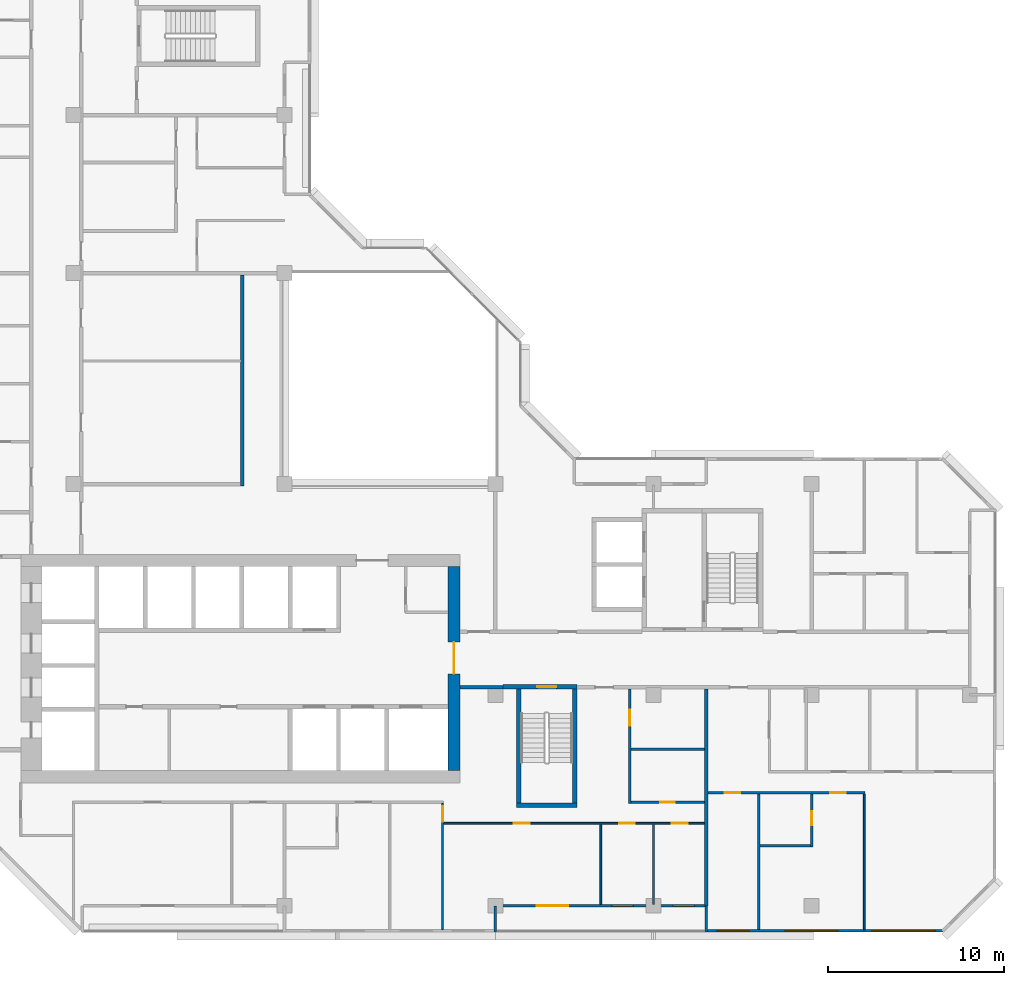
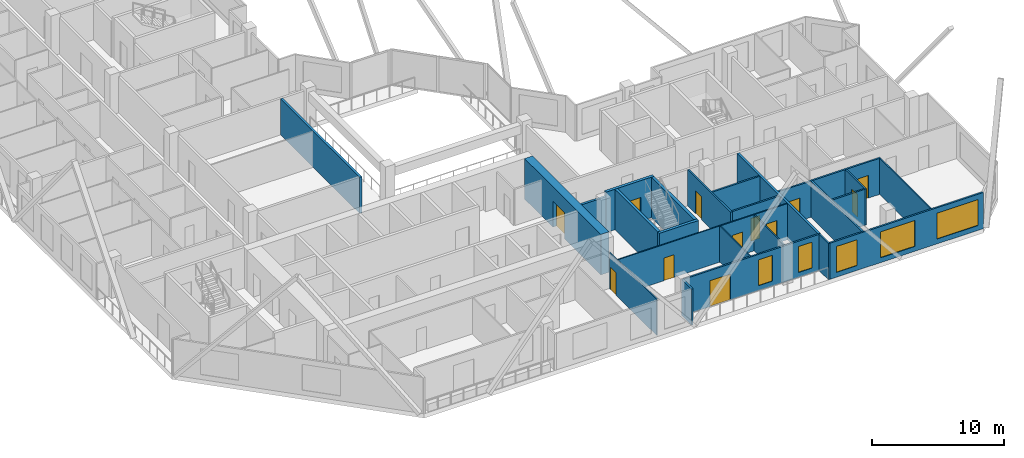
# One storey, part 6 of 15: 24 walls, 12 doors, 5 windows, 17 openings.
"""IFC4 building model written with IfcOpenShell, lengths in metres."""

from ifc_helpers import new_model, si_unit, direction, frame, frame_2d, origin, place, context, subcontext, project, spatial, rectangle, extrude, material, layer, layer_set, type_object, element, fill, save


model = new_model("IFC4")

# Units and contexts
model_context = context("Model", 3, precision=1e-05, world=origin(), true_north=direction((0.0, 1.0)))
body_context = subcontext(model_context, "Body", "Model", "MODEL_VIEW")
ifc_project = project(units=[si_unit("LENGTHUNIT", "METRE"), si_unit("AREAUNIT", "SQUARE_METRE"), si_unit("VOLUMEUNIT", "CUBIC_METRE"), si_unit("PLANEANGLEUNIT", "RADIAN"), si_unit("MASSUNIT", "GRAM", prefix="KILO")], contexts=[model_context])

# Site, building, storey
site_placement = place(None, origin())
site = spatial("IfcSite", under=ifc_project, at=site_placement, CompositionType="ELEMENT")
building_placement = place(site_placement, origin())
building = spatial("IfcBuilding", under=site, at=building_placement, Name="Chenar Terraces", CompositionType="ELEMENT")
storey_placement = place(building_placement, frame((0.0, 0.0, 245.39990234375)))
storey = spatial("IfcBuildingStorey", under=building, at=storey_placement, Name="L58", CompositionType="ELEMENT", Elevation=245.39990234375)

# Wall
ifc_material_1 = material(Name="Concrete C60/75", Category="concrete")
ifc_layer_1 = layer(ifc_material_1, 0.25)
ifc_layer_set_1 = layer_set([ifc_layer_1], Name="Concrete C60/75")
wall_type_1 = type_object("IfcWallType", Name="Core wall 250 Concrete C60/75", PredefinedType="SHEAR", material=ifc_layer_set_1)
wall_1_placement = place(storey_placement, frame((37.199951171875, 5.72509765625, 0.0), z_axis=(0.0, 0.0, 1.0), x_axis=(1.0, 0.0, 0.0)))
element("IfcWall", 1, at=wall_1_placement, inside=storey, type_object=wall_type_1, Name="Core wall ST2_S L58", PredefinedType="SHEAR", context=body_context, shape_type="SweptSolid", body=[
    extrude(rectangle(XDim=3.449951171875, YDim=0.25, at=frame_2d((1.72509765625, 0.0))), origin(), (0.0, 0.0, 1.0), 3.75),
])

# Wall, opening, door
wall_2_placement = place(storey_placement, frame((36.425048828125, 12.47509765625, 0.0), z_axis=(0.0, 0.0, 1.0), x_axis=(1.0, 0.0, 0.0)))
wall_2 = element("IfcWall", 2, at=wall_2_placement, inside=storey, type_object=wall_type_1, Name="Core wall ST2_N L58", PredefinedType="SHEAR", context=body_context, shape_type="SweptSolid", body=[
    extrude(rectangle(XDim=4.224853515625, YDim=0.25, at=frame_2d((2.1123046875, 0.0))), origin(), (0.0, 0.0, 1.0), 3.75),
])
opening_1_placement = place(wall_2_placement, frame((1.949951171875, 0.0, 0.0)))
opening_1 = element("IfcOpeningElement", 3, at=opening_1_placement, cuts=wall_2, Name="Opening DL58-C7", PredefinedType="OPENING", context=body_context, shape_type="SweptSolid", body=[
    extrude(rectangle(XDim=1.10009765625, YDim=2.199951171875, at=frame_2d((0.550048828125, 1.10009765625))), frame((0.0, 0.135009765625, 0.0), z_axis=(0.0, -1.0, 0.0), x_axis=(1.0, 0.0, 0.0)), (0.0, 0.0, 1.0), 0.27001953125),
])
ifc_material_2 = material(Name="Steel-framed fire-resisting door leaf", Category="steel")
door_type_1 = type_object("IfcDoorType", Name="Stair fire door FD60 1100 x 2200", OperationType="SINGLE_SWING_LEFT", PredefinedType="DOOR", material=ifc_material_2)
door_1_placement = place(opening_1_placement, frame((1.10009765625, 0.0, 0.0), z_axis=(0.0, 0.0, 1.0), x_axis=(-1.0, 0.0, 0.0)))
door_1 = element("IfcDoor", 4, at=door_1_placement, inside=storey, type_object=door_type_1, Name="Stair door DL58-C7", OperationType="SINGLE_SWING_LEFT", OverallHeight=2.199951171875, OverallWidth=1.10009765625, PredefinedType="DOOR", context=body_context, shape_type="SweptSolid", body=[
    extrude(rectangle(XDim=1.10009765625, YDim=2.199951171875, at=frame_2d((0.550048828125, 1.10009765625))), frame((0.0, 0.02490234375, 0.0), z_axis=(0.0, -1.0, 0.0), x_axis=(1.0, 0.0, 0.0)), (0.0, 0.0, 1.0), 0.050048828125),
])
fill(opening_1, door_1)

# Walls
for number, where, z_axis, x_axis, name in (
    (5, (37.324951171875, 5.85009765625, 0.0), (0.0, 0.0, 1.0), (0.0, 1.0, 0.0), "Core wall ST2_W L58"),
    (6, (40.52490234375, 5.85009765625, 0.0), (0.0, 0.0, 1.0), (0.0, 1.0, 0.0), "Core wall ST2_E L58"),
):
    element("IfcWall", number, at=place(storey_placement, frame(where, z_axis=z_axis, x_axis=x_axis)), inside=storey, type_object=wall_type_1, Name=name, PredefinedType="SHEAR", context=body_context, shape_type="SweptSolid", body=[
        extrude(rectangle(XDim=6.5, YDim=0.25, at=frame_2d((3.25, 0.0))), origin(), (0.0, 0.0, 1.0), 3.75),
    ])

# Wall, opening, door
ifc_material_3 = material(Name="Concrete C60/75", Category="concrete")
ifc_layer_2 = layer(ifc_material_3, 0.699951171875)
ifc_layer_set_2 = layer_set([ifc_layer_2], Name="Concrete C60/75")
wall_type_2 = type_object("IfcWallType", Name="Core wall 700 Concrete C60/75", PredefinedType="SHEAR", material=ifc_layer_set_2)
wall_3_placement = place(storey_placement, frame((33.64990234375, 7.699951171875, 0.0), z_axis=(0.0, 0.0, 1.0), x_axis=(0.0, 1.0, 0.0)))
wall_3 = element("IfcWall", 7, at=wall_3_placement, inside=storey, type_object=wall_type_2, Name="Core wall E L58", PredefinedType="SHEAR", context=body_context, shape_type="SweptSolid", body=[
    extrude(rectangle(XDim=11.60009765625, YDim=0.699951171875, at=frame_2d((5.800048828125, 0.0))), origin(), (0.0, 0.0, 1.0), 3.75),
])
opening_2_placement = place(wall_3_placement, frame((5.5, 0.0, 0.0)))
opening_2 = element("IfcOpeningElement", 8, at=opening_2_placement, cuts=wall_3, Name="Opening DL58-C1", PredefinedType="OPENING", context=body_context, shape_type="SweptSolid", body=[
    extrude(rectangle(XDim=1.800048828125, YDim=2.39990234375, at=frame_2d((0.89990234375, 1.199951171875))), frame((0.0, 0.35986328125, 0.0), z_axis=(0.0, -1.0, 0.0), x_axis=(1.0, 0.0, 0.0)), (0.0, 0.0, 1.0), 0.719970703125),
])
ifc_material_4 = material(Name="Steel-framed fire-resisting door leaf", Category="steel")
door_type_2 = type_object("IfcDoorType", Name="Core entrance double fire door FD60 1800 x 2400", OperationType="DOUBLE_DOOR_SINGLE_SWING", PredefinedType="DOOR", material=ifc_material_4)
door_2_placement = place(opening_2_placement, origin())
door_2 = element("IfcDoor", 9, at=door_2_placement, inside=storey, type_object=door_type_2, Name="Core door DL58-C1", OperationType="DOUBLE_DOOR_SINGLE_SWING", OverallHeight=2.39990234375, OverallWidth=1.800048828125, PredefinedType="DOOR", context=body_context, shape_type="SweptSolid", body=[
    extrude(rectangle(XDim=1.800048828125, YDim=2.39990234375, at=frame_2d((0.89990234375, 1.199951171875))), frame((0.0, 0.02490234375, 0.0), z_axis=(0.0, -1.0, 0.0), x_axis=(1.0, 0.0, 0.0)), (0.0, 0.0, 1.0), 0.050048828125),
])
fill(opening_2, door_2)

# Walls
ifc_material_5 = material(Name="Gypsum board on steel studs with fire boards", Category="steel")
ifc_layer_3 = layer(ifc_material_5, 0.199951171875)
ifc_layer_set_3 = layer_set([ifc_layer_3], Name="Gypsum board on steel studs with fire boards")
wall_type_3 = type_object("IfcWallType", Name="Corridor wall 200", PredefinedType="PARTITIONING", material=ifc_layer_set_3)
wall_4_placement = place(storey_placement, frame((21.60009765625, 23.89990234375, 0.0), z_axis=(0.0, 0.0, 1.0), x_axis=(0.0, 1.0, 0.0)))
element("IfcWall", 10, at=wall_4_placement, inside=storey, type_object=wall_type_3, Name="Partition L58-057", PredefinedType="PARTITIONING", context=body_context, shape_type="SweptSolid", body=[
    extrude(rectangle(XDim=12.0, YDim=0.199951171875, at=frame_2d((6.0, 0.0))), origin(), (0.0, 0.0, 1.0), 3.35009765625),
])
wall_5_placement = place(storey_placement, frame((34.0, 12.425048828125, 0.0), z_axis=(0.0, 0.0, 1.0), x_axis=(1.0, 0.0, 0.0)))
element("IfcWall", 11, at=wall_5_placement, inside=storey, type_object=wall_type_3, Name="Partition L58-064", PredefinedType="PARTITIONING", context=body_context, shape_type="SweptSolid", body=[
    extrude(rectangle(XDim=2.426025390625, YDim=0.199951171875, at=frame_2d((1.212890625, 0.0))), origin(), (0.0, 0.0, 1.0), 3.35009765625),
])

# Wall, openings, windows
ifc_material_6 = material(Name="Aluminium framed glazing", Category="aluminium")
ifc_layer_4 = layer(ifc_material_6, 0.14990234375)
ifc_layer_set_4 = layer_set([ifc_layer_4], Name="Aluminium framed glazing")
wall_type_4 = type_object("IfcWallType", Name="Glazed flush facade wall 150", PredefinedType="SOLIDWALL", material=ifc_layer_set_4)
wall_6_placement = place(storey_placement, frame((48.074951171875, -1.425048828125, 0.0), z_axis=(0.0, 0.0, 1.0), x_axis=(1.0, 0.0, 0.0)))
wall_6 = element("IfcWall", 12, at=wall_6_placement, inside=storey, type_object=wall_type_4, Name="Glazed flush facade wall", PredefinedType="SOLIDWALL", context=body_context, shape_type="SweptSolid", body=[
    extrude(rectangle(XDim=13.425048828125, YDim=0.14990234375, at=frame_2d((6.71240234375, 0.0))), origin(), (0.0, 0.0, 1.0), 3.35009765625),
])
opening_3_placement = place(wall_6_placement, frame((0.5625, 0.0, 0.449951171875)))
opening_3 = element("IfcOpeningElement", 13, at=opening_3_placement, cuts=wall_6, Name="Opening W180x240", PredefinedType="OPENING", context=body_context, shape_type="SweptSolid", body=[
    extrude(rectangle(XDim=1.800048828125, YDim=2.39990234375, at=frame_2d((0.89990234375, 1.199951171875))), frame((0.0, 0.0849609375, 0.0), z_axis=(0.0, -1.0, 0.0), x_axis=(1.0, 0.0, 0.0)), (0.0, 0.0, 1.0), 0.169921875),
])
opening_4_placement = place(wall_6_placement, frame((4.425048828125, 0.0, 0.449951171875)))
opening_4 = element("IfcOpeningElement", 14, at=opening_4_placement, cuts=wall_6, Name="Opening W300x240", PredefinedType="OPENING", context=body_context, shape_type="SweptSolid", body=[
    extrude(rectangle(XDim=3.0, YDim=2.39990234375, at=frame_2d((1.5, 1.199951171875))), frame((0.0, 0.0849609375, 0.0), z_axis=(0.0, -1.0, 0.0), x_axis=(1.0, 0.0, 0.0)), (0.0, 0.0, 1.0), 0.169921875),
])
opening_5_placement = place(wall_6_placement, frame((9.375, 0.0, 0.449951171875)))
opening_5 = element("IfcOpeningElement", 15, at=opening_5_placement, cuts=wall_6, Name="Opening W360x240", PredefinedType="OPENING", context=body_context, shape_type="SweptSolid", body=[
    extrude(rectangle(XDim=3.60009765625, YDim=2.39990234375, at=frame_2d((1.800048828125, 1.199951171875))), frame((0.0, 0.0849609375, 0.0), z_axis=(0.0, -1.0, 0.0), x_axis=(1.0, 0.0, 0.0)), (0.0, 0.0, 1.0), 0.169921875),
])
ifc_material_7 = material(Name="Low emissivity double glazing, aluminium frame", Category="aluminium")
window_type_1 = type_object("IfcWindowType", Name="Fixed light 1800 x 2400", PartitioningType="SINGLE_PANEL", PredefinedType="WINDOW", material=ifc_material_7)
window_1_placement = place(opening_3_placement, origin())
window_1 = element("IfcWindow", 16, at=window_1_placement, inside=storey, type_object=window_type_1, Name="Window", OverallHeight=2.39990234375, OverallWidth=1.800048828125, PartitioningType="SINGLE_PANEL", PredefinedType="WINDOW", context=body_context, shape_type="SweptSolid", body=[
    extrude(rectangle(XDim=1.800048828125, YDim=2.39990234375, at=frame_2d((0.89990234375, 1.199951171875))), frame((0.0, 0.030029296875, 0.0), z_axis=(0.0, -1.0, 0.0), x_axis=(1.0, 0.0, 0.0)), (0.0, 0.0, 1.0), 0.06005859375),
])
fill(opening_3, window_1)
ifc_material_8 = material(Name="Low emissivity double glazing, aluminium frame", Category="aluminium")
window_type_2 = type_object("IfcWindowType", Name="Fixed light 3000 x 2400", PartitioningType="SINGLE_PANEL", PredefinedType="WINDOW", material=ifc_material_8)
window_2_placement = place(opening_4_placement, origin())
window_2 = element("IfcWindow", 17, at=window_2_placement, inside=storey, type_object=window_type_2, Name="Window", OverallHeight=2.39990234375, OverallWidth=3.0, PartitioningType="SINGLE_PANEL", PredefinedType="WINDOW", context=body_context, shape_type="SweptSolid", body=[
    extrude(rectangle(XDim=3.0, YDim=2.39990234375, at=frame_2d((1.5, 1.199951171875))), frame((0.0, 0.030029296875, 0.0), z_axis=(0.0, -1.0, 0.0), x_axis=(1.0, 0.0, 0.0)), (0.0, 0.0, 1.0), 0.06005859375),
])
fill(opening_4, window_2)
ifc_material_9 = material(Name="Low emissivity double glazing, aluminium frame", Category="aluminium")
window_type_3 = type_object("IfcWindowType", Name="Fixed light 3600 x 2400", PartitioningType="SINGLE_PANEL", PredefinedType="WINDOW", material=ifc_material_9)
window_3_placement = place(opening_5_placement, origin())
window_3 = element("IfcWindow", 18, at=window_3_placement, inside=storey, type_object=window_type_3, Name="Window", OverallHeight=2.39990234375, OverallWidth=3.60009765625, PartitioningType="SINGLE_PANEL", PredefinedType="WINDOW", context=body_context, shape_type="SweptSolid", body=[
    extrude(rectangle(XDim=3.60009765625, YDim=2.39990234375, at=frame_2d((1.800048828125, 1.199951171875))), frame((0.0, 0.030029296875, 0.0), z_axis=(0.0, -1.0, 0.0), x_axis=(1.0, 0.0, 0.0)), (0.0, 0.0, 1.0), 0.06005859375),
])
fill(opening_5, window_3)

# Wall, openings, windows, door
ifc_material_10 = material(Name="Aluminium framed glazing", Category="aluminium")
ifc_layer_5 = layer(ifc_material_10, 0.14990234375)
ifc_layer_set_5 = layer_set([ifc_layer_5], Name="Aluminium framed glazing")
wall_type_5 = type_object("IfcWallType", Name="Glazed loggia back wall 150", PredefinedType="SOLIDWALL", material=ifc_layer_set_5)
wall_7_placement = place(storey_placement, frame((36.074951171875, 0.0, 0.0), z_axis=(0.0, 0.0, 1.0), x_axis=(1.0, 0.0, 0.0)))
wall_7 = element("IfcWall", 19, at=wall_7_placement, inside=storey, type_object=wall_type_5, Name="Glazed loggia back wall", PredefinedType="SOLIDWALL", context=body_context, shape_type="SweptSolid", body=[
    extrude(rectangle(XDim=11.85009765625, YDim=0.14990234375, at=frame_2d((5.925048828125, 0.0))), origin(), (0.0, 0.0, 1.0), 3.35009765625),
])
opening_6_placement = place(wall_7_placement, frame((2.28759765625, 0.0, 0.0)))
opening_6 = element("IfcOpeningElement", 20, at=opening_6_placement, cuts=wall_7, Name="Opening DL58-G6", PredefinedType="OPENING", context=body_context, shape_type="SweptSolid", body=[
    extrude(rectangle(XDim=1.800048828125, YDim=2.39990234375, at=frame_2d((0.89990234375, 1.199951171875))), frame((0.0, 0.0849609375, 0.0), z_axis=(0.0, -1.0, 0.0), x_axis=(1.0, 0.0, 0.0)), (0.0, 0.0, 1.0), 0.169921875),
])
opening_7_placement = place(wall_7_placement, frame((6.5625, 0.0, 0.449951171875)))
opening_7 = element("IfcOpeningElement", 21, at=opening_7_placement, cuts=wall_7, Name="Opening W120x240", PredefinedType="OPENING", context=body_context, shape_type="SweptSolid", body=[
    extrude(rectangle(XDim=1.199951171875, YDim=2.39990234375, at=frame_2d((0.60009765625, 1.199951171875))), frame((0.0, 0.0849609375, 0.0), z_axis=(0.0, -1.0, 0.0), x_axis=(1.0, 0.0, 0.0)), (0.0, 0.0, 1.0), 0.169921875),
])
opening_8_placement = place(wall_7_placement, frame((10.050048828125, 0.0, 0.449951171875)))
opening_8 = element("IfcOpeningElement", 22, at=opening_8_placement, cuts=wall_7, Name="Opening W120x240", PredefinedType="OPENING", context=body_context, shape_type="SweptSolid", body=[
    extrude(rectangle(XDim=1.199951171875, YDim=2.39990234375, at=frame_2d((0.60009765625, 1.199951171875))), frame((0.0, 0.0849609375, 0.0), z_axis=(0.0, -1.0, 0.0), x_axis=(1.0, 0.0, 0.0)), (0.0, 0.0, 1.0), 0.169921875),
])
ifc_material_11 = material(Name="Low emissivity double glazing, aluminium frame", Category="aluminium")
window_type_4 = type_object("IfcWindowType", Name="Fixed light 1200 x 2400", PartitioningType="SINGLE_PANEL", PredefinedType="WINDOW", material=ifc_material_11)
window_4_placement = place(opening_7_placement, origin())
window_4 = element("IfcWindow", 23, at=window_4_placement, inside=storey, type_object=window_type_4, Name="Window", OverallHeight=2.39990234375, OverallWidth=1.199951171875, PartitioningType="SINGLE_PANEL", PredefinedType="WINDOW", context=body_context, shape_type="SweptSolid", body=[
    extrude(rectangle(XDim=1.199951171875, YDim=2.39990234375, at=frame_2d((0.60009765625, 1.199951171875))), frame((0.0, 0.030029296875, 0.0), z_axis=(0.0, -1.0, 0.0), x_axis=(1.0, 0.0, 0.0)), (0.0, 0.0, 1.0), 0.06005859375),
])
fill(opening_7, window_4)
window_5_placement = place(opening_8_placement, origin())
window_5 = element("IfcWindow", 24, at=window_5_placement, inside=storey, type_object=window_type_4, Name="Window", OverallHeight=2.39990234375, OverallWidth=1.199951171875, PartitioningType="SINGLE_PANEL", PredefinedType="WINDOW", context=body_context, shape_type="SweptSolid", body=[
    extrude(rectangle(XDim=1.199951171875, YDim=2.39990234375, at=frame_2d((0.60009765625, 1.199951171875))), frame((0.0, 0.030029296875, 0.0), z_axis=(0.0, -1.0, 0.0), x_axis=(1.0, 0.0, 0.0)), (0.0, 0.0, 1.0), 0.06005859375),
])
fill(opening_8, window_5)
ifc_material_12 = material(Name="Low emissivity double glazing, aluminium frame", Category="aluminium")
door_type_3 = type_object("IfcDoorType", Name="Loggia glazed double door 1800 x 2400", OperationType="DOUBLE_DOOR_SINGLE_SWING", PredefinedType="DOOR", material=ifc_material_12)
door_3_placement = place(opening_6_placement, frame((1.800048828125, 0.0, 0.0), z_axis=(0.0, 0.0, 1.0), x_axis=(-1.0, 0.0, 0.0)))
door_3 = element("IfcDoor", 25, at=door_3_placement, inside=storey, type_object=door_type_3, Name="Loggia glazed door", OperationType="DOUBLE_DOOR_SINGLE_SWING", OverallHeight=2.39990234375, OverallWidth=1.800048828125, PredefinedType="DOOR", context=body_context, shape_type="SweptSolid", body=[
    extrude(rectangle(XDim=1.800048828125, YDim=2.39990234375, at=frame_2d((0.89990234375, 1.199951171875))), frame((0.0, 0.02490234375, 0.0), z_axis=(0.0, -1.0, 0.0), x_axis=(1.0, 0.0, 0.0)), (0.0, 0.0, 1.0), 0.050048828125),
])
fill(opening_6, door_3)

# Wall, opening, door
ifc_material_13 = material(Name="Gypsum board on steel studs", Category="steel")
ifc_layer_6 = layer(ifc_material_13, 0.10009765625)
ifc_layer_set_6 = layer_set([ifc_layer_6], Name="Gypsum board on steel studs")
wall_type_6 = type_object("IfcWallType", Name="Gypsum partition 100", PredefinedType="PARTITIONING", material=ifc_layer_set_6)
wall_8_placement = place(storey_placement, frame((33.0, -1.35009765625, 0.0), z_axis=(0.0, 0.0, 1.0), x_axis=(0.0, 1.0, 0.0)))
wall_8 = element("IfcWall", 26, at=wall_8_placement, inside=storey, type_object=wall_type_6, Name="Partition L58-062", PredefinedType="PARTITIONING", context=body_context, shape_type="SweptSolid", body=[
    extrude(rectangle(XDim=7.175048828125, YDim=0.10009765625, at=frame_2d((3.58740234375, 0.0))), origin(), (0.0, 0.0, 1.0), 3.35009765625),
])
opening_9_placement = place(wall_8_placement, frame((6.125, 0.0, 0.0)))
opening_9 = element("IfcOpeningElement", 27, at=opening_9_placement, cuts=wall_8, Name="Opening DL58-49", PredefinedType="OPENING", context=body_context, shape_type="SweptSolid", body=[
    extrude(rectangle(XDim=0.89990234375, YDim=2.10009765625, at=frame_2d((0.449951171875, 1.050048828125))), frame((0.0, 0.06005859375, 0.0), z_axis=(0.0, -1.0, 0.0), x_axis=(1.0, 0.0, 0.0)), (0.0, 0.0, 1.0), 0.1201171875),
])
ifc_material_14 = material(Name="Veneered timber door leaf", Category="wood")
door_type_4 = type_object("IfcDoorType", Name="Door 900 x 2100", OperationType="SINGLE_SWING_LEFT", PredefinedType="DOOR", material=ifc_material_14)
door_4_placement = place(opening_9_placement, origin())
door_4 = element("IfcDoor", 28, at=door_4_placement, inside=storey, type_object=door_type_4, Name="Door DL58-49", OperationType="SINGLE_SWING_RIGHT", OverallHeight=2.10009765625, OverallWidth=0.89990234375, PredefinedType="DOOR", context=body_context, shape_type="SweptSolid", body=[
    extrude(rectangle(XDim=0.89990234375, YDim=2.10009765625, at=frame_2d((0.449951171875, 1.050048828125))), frame((0.0, 0.02490234375, 0.0), z_axis=(0.0, -1.0, 0.0), x_axis=(1.0, 0.0, 0.0)), (0.0, 0.0, 1.0), 0.050048828125),
])
fill(opening_9, door_4)

# Wall, openings, doors
wall_9_placement = place(storey_placement, frame((33.050048828125, 4.699951171875, 0.0), z_axis=(0.0, 0.0, 1.0), x_axis=(1.0, 0.0, 0.0)))
wall_9 = element("IfcWall", 29, at=wall_9_placement, inside=storey, type_object=wall_type_6, Name="Partition L58-063", PredefinedType="PARTITIONING", context=body_context, shape_type="SweptSolid", body=[
    extrude(rectangle(XDim=14.849853515625, YDim=0.10009765625, at=frame_2d((7.4248046875, 0.0))), origin(), (0.0, 0.0, 1.0), 3.35009765625),
])
opening_10_placement = place(wall_9_placement, frame((10.0, 0.0, 0.0)))
opening_10 = element("IfcOpeningElement", 30, at=opening_10_placement, cuts=wall_9, Name="Opening DL58-50", PredefinedType="OPENING", context=body_context, shape_type="SweptSolid", body=[
    extrude(rectangle(XDim=0.89990234375, YDim=2.10009765625, at=frame_2d((0.449951171875, 1.050048828125))), frame((0.0, 0.06005859375, 0.0), z_axis=(0.0, -1.0, 0.0), x_axis=(1.0, 0.0, 0.0)), (0.0, 0.0, 1.0), 0.1201171875),
])
opening_11_placement = place(wall_9_placement, frame((13.0, 0.0, 0.0)))
opening_11 = element("IfcOpeningElement", 31, at=opening_11_placement, cuts=wall_9, Name="Opening DL58-51", PredefinedType="OPENING", context=body_context, shape_type="SweptSolid", body=[
    extrude(rectangle(XDim=0.89990234375, YDim=2.10009765625, at=frame_2d((0.449951171875, 1.050048828125))), frame((0.0, 0.06005859375, 0.0), z_axis=(0.0, -1.0, 0.0), x_axis=(1.0, 0.0, 0.0)), (0.0, 0.0, 1.0), 0.1201171875),
])
opening_12_placement = place(wall_9_placement, frame((4.0, 0.0, 0.0)))
opening_12 = element("IfcOpeningElement", 32, at=opening_12_placement, cuts=wall_9, Name="Opening DL58-59", PredefinedType="OPENING", context=body_context, shape_type="SweptSolid", body=[
    extrude(rectangle(XDim=0.89990234375, YDim=2.10009765625, at=frame_2d((0.449951171875, 1.050048828125))), frame((0.0, 0.06005859375, 0.0), z_axis=(0.0, -1.0, 0.0), x_axis=(1.0, 0.0, 0.0)), (0.0, 0.0, 1.0), 0.1201171875),
])
door_5_placement = place(opening_10_placement, frame((0.89990234375, 0.0, 0.0), z_axis=(0.0, 0.0, 1.0), x_axis=(-1.0, 0.0, 0.0)))
door_5 = element("IfcDoor", 33, at=door_5_placement, inside=storey, type_object=door_type_4, Name="Door DL58-50", OperationType="SINGLE_SWING_LEFT", OverallHeight=2.10009765625, OverallWidth=0.89990234375, PredefinedType="DOOR", context=body_context, shape_type="SweptSolid", body=[
    extrude(rectangle(XDim=0.89990234375, YDim=2.10009765625, at=frame_2d((0.449951171875, 1.050048828125))), frame((0.0, 0.02490234375, 0.0), z_axis=(0.0, -1.0, 0.0), x_axis=(1.0, 0.0, 0.0)), (0.0, 0.0, 1.0), 0.050048828125),
])
fill(opening_10, door_5)
door_6_placement = place(opening_11_placement, frame((0.89990234375, 0.0, 0.0), z_axis=(0.0, 0.0, 1.0), x_axis=(-1.0, 0.0, 0.0)))
door_6 = element("IfcDoor", 34, at=door_6_placement, inside=storey, type_object=door_type_4, Name="Door DL58-51", OperationType="SINGLE_SWING_LEFT", OverallHeight=2.10009765625, OverallWidth=0.89990234375, PredefinedType="DOOR", context=body_context, shape_type="SweptSolid", body=[
    extrude(rectangle(XDim=0.89990234375, YDim=2.10009765625, at=frame_2d((0.449951171875, 1.050048828125))), frame((0.0, 0.02490234375, 0.0), z_axis=(0.0, -1.0, 0.0), x_axis=(1.0, 0.0, 0.0)), (0.0, 0.0, 1.0), 0.050048828125),
])
fill(opening_11, door_6)
door_7_placement = place(opening_12_placement, frame((0.89990234375, 0.0, 0.0), z_axis=(0.0, 0.0, 1.0), x_axis=(-1.0, 0.0, 0.0)))
door_7 = element("IfcDoor", 35, at=door_7_placement, inside=storey, type_object=door_type_4, Name="Door DL58-59", OperationType="SINGLE_SWING_LEFT", OverallHeight=2.10009765625, OverallWidth=0.89990234375, PredefinedType="DOOR", context=body_context, shape_type="SweptSolid", body=[
    extrude(rectangle(XDim=0.89990234375, YDim=2.10009765625, at=frame_2d((0.449951171875, 1.050048828125))), frame((0.0, 0.02490234375, 0.0), z_axis=(0.0, -1.0, 0.0), x_axis=(1.0, 0.0, 0.0)), (0.0, 0.0, 1.0), 0.050048828125),
])
fill(opening_12, door_7)

# Walls
for number, where, z_axis, x_axis, name in (
    (36, (42.0, 0.073974609375, 0.0), (0.0, 0.0, 1.0), (0.0, 1.0, 0.0), "Partition L58-068"),
    (37, (45.0, 0.073974609375, 0.0), (0.0, 0.0, 1.0), (0.0, 1.0, 0.0), "Partition L58-072"),
):
    element("IfcWall", number, at=place(storey_placement, frame(where, z_axis=z_axis, x_axis=x_axis)), inside=storey, type_object=wall_type_6, Name=name, PredefinedType="PARTITIONING", context=body_context, shape_type="SweptSolid", body=[
        extrude(rectangle(XDim=4.575927734375, YDim=0.10009765625, at=frame_2d((2.2880859375, 0.0))), origin(), (0.0, 0.0, 1.0), 3.35009765625),
    ])
wall_10_placement = place(storey_placement, frame((57.0, -1.35009765625, 0.0), z_axis=(0.0, 0.0, 1.0), x_axis=(0.0, 1.0, 0.0)))
element("IfcWall", 38, at=wall_10_placement, inside=storey, type_object=wall_type_6, Name="Partition L58-086", PredefinedType="PARTITIONING", context=body_context, shape_type="SweptSolid", body=[
    extrude(rectangle(XDim=7.7001953125, YDim=0.10009765625, at=frame_2d((3.85009765625, 0.0))), origin(), (0.0, 0.0, 1.0), 3.35009765625),
])
ifc_material_15 = material(Name="Terracotta cladding on insulated backing", Category="masonry")
ifc_layer_7 = layer(ifc_material_15, 0.14990234375)
ifc_layer_set_7 = layer_set([ifc_layer_7], Name="Terracotta cladding on insulated backing")
wall_type_7 = type_object("IfcWallType", Name="Loggia return wall 150", PredefinedType="SOLIDWALL", material=ifc_layer_set_7)
for number, where, z_axis, x_axis, name in (
    (39, (36.0, -1.5, 0.0), (0.0, 0.0, 1.0), (0.0, 1.0, 0.0), "Loggia return wall"),
    (40, (48.0, -1.5, 0.0), (0.0, 0.0, 1.0), (0.0, 1.0, 0.0), "Loggia return wall"),
):
    element("IfcWall", number, at=place(storey_placement, frame(where, z_axis=z_axis, x_axis=x_axis)), inside=storey, type_object=wall_type_7, Name=name, PredefinedType="SOLIDWALL", context=body_context, shape_type="SweptSolid", body=[
        extrude(rectangle(XDim=1.5, YDim=0.14990234375, at=frame_2d((0.75, 0.0))), origin(), (0.0, 0.0, 1.0), 3.35009765625),
    ])
ifc_material_16 = material(Name="Twin gypsum board on steel studs with mineral wool", Category="steel")
ifc_layer_8 = layer(ifc_material_16, 0.199951171875)
ifc_layer_set_8 = layer_set([ifc_layer_8], Name="Twin gypsum board on steel studs with mineral wool")
wall_type_8 = type_object("IfcWallType", Name="Unit demising wall 200", PredefinedType="PARTITIONING", material=ifc_layer_set_8)
wall_11_placement = place(storey_placement, frame((48.0, 0.0, 0.0), z_axis=(0.0, 0.0, 1.0), x_axis=(0.0, 1.0, 0.0)))
element("IfcWall", 41, at=wall_11_placement, inside=storey, type_object=wall_type_8, Name="Partition L58-074", PredefinedType="PARTITIONING", context=body_context, shape_type="SweptSolid", body=[
    extrude(rectangle(XDim=12.324951171875, YDim=0.199951171875, at=frame_2d((6.16259765625, 0.0))), origin(), (0.0, 0.0, 1.0), 3.35009765625),
])

# Wall, opening, door
ifc_material_17 = material(Name="Moisture-resistant gypsum board on steel studs", Category="steel")
ifc_layer_9 = layer(ifc_material_17, 0.14990234375)
ifc_layer_set_9 = layer_set([ifc_layer_9], Name="Moisture-resistant gypsum board on steel studs")
wall_type_9 = type_object("IfcWallType", Name="Wet-room partition 150", PredefinedType="PARTITIONING", material=ifc_layer_set_9)
wall_12_placement = place(storey_placement, frame((43.64990234375, 5.824951171875, 0.0), z_axis=(0.0, 0.0, 1.0), x_axis=(0.0, 1.0, 0.0)))
wall_12 = element("IfcWall", 42, at=wall_12_placement, inside=storey, type_object=wall_type_9, Name="Partition L58-069", PredefinedType="PARTITIONING", context=body_context, shape_type="SweptSolid", body=[
    extrude(rectangle(XDim=6.5, YDim=0.14990234375, at=frame_2d((3.25, 0.0))), origin(), (0.0, 0.0, 1.0), 3.35009765625),
])
opening_13_placement = place(wall_12_placement, frame((4.425048828125, 0.0, 0.0)))
opening_13 = element("IfcOpeningElement", 43, at=opening_13_placement, cuts=wall_12, Name="Opening DL58-57", PredefinedType="OPENING", context=body_context, shape_type="SweptSolid", body=[
    extrude(rectangle(XDim=0.89990234375, YDim=2.10009765625, at=frame_2d((0.449951171875, 1.050048828125))), frame((0.0, 0.0849609375, 0.0), z_axis=(0.0, -1.0, 0.0), x_axis=(1.0, 0.0, 0.0)), (0.0, 0.0, 1.0), 0.169921875),
])
door_8_placement = place(opening_13_placement, frame((0.89990234375, 0.0, 0.0), z_axis=(0.0, 0.0, 1.0), x_axis=(-1.0, 0.0, 0.0)))
door_8 = element("IfcDoor", 44, at=door_8_placement, inside=storey, type_object=door_type_4, Name="Door DL58-57", OperationType="SINGLE_SWING_LEFT", OverallHeight=2.10009765625, OverallWidth=0.89990234375, PredefinedType="DOOR", context=body_context, shape_type="SweptSolid", body=[
    extrude(rectangle(XDim=0.89990234375, YDim=2.10009765625, at=frame_2d((0.449951171875, 1.050048828125))), frame((0.0, 0.02490234375, 0.0), z_axis=(0.0, -1.0, 0.0), x_axis=(1.0, 0.0, 0.0)), (0.0, 0.0, 1.0), 0.050048828125),
])
fill(opening_13, door_8)

wall_13_placement = place(storey_placement, frame((43.72509765625, 5.89990234375, 0.0), z_axis=(0.0, 0.0, 1.0), x_axis=(1.0, 0.0, 0.0)))
wall_13 = element("IfcWall", 45, at=wall_13_placement, inside=storey, type_object=wall_type_9, Name="Partition L58-070", PredefinedType="PARTITIONING", context=body_context, shape_type="SweptSolid", body=[
    extrude(rectangle(XDim=4.1748046875, YDim=0.14990234375, at=frame_2d((2.08740234375, 0.0))), origin(), (0.0, 0.0, 1.0), 3.35009765625),
])
opening_14_placement = place(wall_13_placement, frame((1.675048828125, 0.0, 0.0)))
opening_14 = element("IfcOpeningElement", 46, at=opening_14_placement, cuts=wall_13, Name="Opening DL58-47", PredefinedType="OPENING", context=body_context, shape_type="SweptSolid", body=[
    extrude(rectangle(XDim=0.800048828125, YDim=2.10009765625, at=frame_2d((0.39990234375, 1.050048828125))), frame((0.0, 0.0849609375, 0.0), z_axis=(0.0, -1.0, 0.0), x_axis=(1.0, 0.0, 0.0)), (0.0, 0.0, 1.0), 0.169921875),
])
ifc_material_18 = material(Name="Veneered timber door leaf", Category="wood")
door_type_5 = type_object("IfcDoorType", Name="Door 800 x 2100", OperationType="SINGLE_SWING_LEFT", PredefinedType="DOOR", material=ifc_material_18)
door_9_placement = place(opening_14_placement, origin())
door_9 = element("IfcDoor", 47, at=door_9_placement, inside=storey, type_object=door_type_5, Name="Door DL58-47", OperationType="SINGLE_SWING_LEFT", OverallHeight=2.10009765625, OverallWidth=0.800048828125, PredefinedType="DOOR", context=body_context, shape_type="SweptSolid", body=[
    extrude(rectangle(XDim=0.800048828125, YDim=2.10009765625, at=frame_2d((0.39990234375, 1.050048828125))), frame((0.0, 0.02490234375, 0.0), z_axis=(0.0, -1.0, 0.0), x_axis=(1.0, 0.0, 0.0)), (0.0, 0.0, 1.0), 0.050048828125),
])
fill(opening_14, door_9)

# Wall
wall_14_placement = place(storey_placement, frame((43.72509765625, 8.89990234375, 0.0), z_axis=(0.0, 0.0, 1.0), x_axis=(1.0, 0.0, 0.0)))
element("IfcWall", 48, at=wall_14_placement, inside=storey, type_object=wall_type_9, Name="Partition L58-071", PredefinedType="PARTITIONING", context=body_context, shape_type="SweptSolid", body=[
    extrude(rectangle(XDim=4.1748046875, YDim=0.14990234375, at=frame_2d((2.08740234375, 0.0))), origin(), (0.0, 0.0, 1.0), 3.35009765625),
])

# Wall, openings, doors
wall_15_placement = place(storey_placement, frame((48.10009765625, 6.425048828125, 0.0), z_axis=(0.0, 0.0, 1.0), x_axis=(1.0, 0.0, 0.0)))
wall_15 = element("IfcWall", 49, at=wall_15_placement, inside=storey, type_object=wall_type_9, Name="Partition L58-075", PredefinedType="PARTITIONING", context=body_context, shape_type="SweptSolid", body=[
    extrude(rectangle(XDim=8.949951171875, YDim=0.14990234375, at=frame_2d((4.47509765625, 0.0))), origin(), (0.0, 0.0, 1.0), 3.35009765625),
])
opening_15_placement = place(wall_15_placement, frame((0.949951171875, 0.0, 0.0)))
opening_15 = element("IfcOpeningElement", 50, at=opening_15_placement, cuts=wall_15, Name="Opening DL58-10", PredefinedType="OPENING", context=body_context, shape_type="SweptSolid", body=[
    extrude(rectangle(XDim=0.89990234375, YDim=2.10009765625, at=frame_2d((0.449951171875, 1.050048828125))), frame((0.0, 0.0849609375, 0.0), z_axis=(0.0, -1.0, 0.0), x_axis=(1.0, 0.0, 0.0)), (0.0, 0.0, 1.0), 0.169921875),
])
opening_16_placement = place(wall_15_placement, frame((6.949951171875, 0.0, 0.0)))
opening_16 = element("IfcOpeningElement", 51, at=opening_16_placement, cuts=wall_15, Name="Opening DL58-11", PredefinedType="OPENING", context=body_context, shape_type="SweptSolid", body=[
    extrude(rectangle(XDim=0.89990234375, YDim=2.10009765625, at=frame_2d((0.449951171875, 1.050048828125))), frame((0.0, 0.0849609375, 0.0), z_axis=(0.0, -1.0, 0.0), x_axis=(1.0, 0.0, 0.0)), (0.0, 0.0, 1.0), 0.169921875),
])
door_10_placement = place(opening_15_placement, frame((0.89990234375, 0.0, 0.0), z_axis=(0.0, 0.0, 1.0), x_axis=(-1.0, 0.0, 0.0)))
door_10 = element("IfcDoor", 52, at=door_10_placement, inside=storey, type_object=door_type_4, Name="Door DL58-10", OperationType="SINGLE_SWING_LEFT", OverallHeight=2.10009765625, OverallWidth=0.89990234375, PredefinedType="DOOR", context=body_context, shape_type="SweptSolid", body=[
    extrude(rectangle(XDim=0.89990234375, YDim=2.10009765625, at=frame_2d((0.449951171875, 1.050048828125))), frame((0.0, 0.02490234375, 0.0), z_axis=(0.0, -1.0, 0.0), x_axis=(1.0, 0.0, 0.0)), (0.0, 0.0, 1.0), 0.050048828125),
])
fill(opening_15, door_10)
door_11_placement = place(opening_16_placement, frame((0.89990234375, 0.0, 0.0), z_axis=(0.0, 0.0, 1.0), x_axis=(-1.0, 0.0, 0.0)))
door_11 = element("IfcDoor", 53, at=door_11_placement, inside=storey, type_object=door_type_4, Name="Door DL58-11", OperationType="SINGLE_SWING_LEFT", OverallHeight=2.10009765625, OverallWidth=0.89990234375, PredefinedType="DOOR", context=body_context, shape_type="SweptSolid", body=[
    extrude(rectangle(XDim=0.89990234375, YDim=2.10009765625, at=frame_2d((0.449951171875, 1.050048828125))), frame((0.0, 0.02490234375, 0.0), z_axis=(0.0, -1.0, 0.0), x_axis=(1.0, 0.0, 0.0)), (0.0, 0.0, 1.0), 0.050048828125),
])
fill(opening_16, door_11)

# Walls
wall_16_placement = place(storey_placement, frame((51.0, -1.35107421875, 0.0), z_axis=(0.0, 0.0, 1.0), x_axis=(0.0, 1.0, 0.0)))
element("IfcWall", 54, at=wall_16_placement, inside=storey, type_object=wall_type_9, Name="Partition L58-076", PredefinedType="PARTITIONING", context=body_context, shape_type="SweptSolid", body=[
    extrude(rectangle(XDim=7.701171875, YDim=0.14990234375, at=frame_2d((3.8505859375, 0.0))), origin(), (0.0, 0.0, 1.0), 3.35009765625),
])
wall_17_placement = place(storey_placement, frame((51.074951171875, 3.425048828125, 0.0), z_axis=(0.0, 0.0, 1.0), x_axis=(1.0, 0.0, 0.0)))
element("IfcWall", 55, at=wall_17_placement, inside=storey, type_object=wall_type_9, Name="Partition L58-077", PredefinedType="PARTITIONING", context=body_context, shape_type="SweptSolid", body=[
    extrude(rectangle(XDim=2.85009765625, YDim=0.14990234375, at=frame_2d((1.425048828125, 0.0))), origin(), (0.0, 0.0, 1.0), 3.35009765625),
])

# Wall, opening, door
wall_18_placement = place(storey_placement, frame((54.0, 3.35009765625, 0.0), z_axis=(0.0, 0.0, 1.0), x_axis=(0.0, 1.0, 0.0)))
wall_18 = element("IfcWall", 56, at=wall_18_placement, inside=storey, type_object=wall_type_9, Name="Partition L58-082", PredefinedType="PARTITIONING", context=body_context, shape_type="SweptSolid", body=[
    extrude(rectangle(XDim=3.0, YDim=0.14990234375, at=frame_2d((1.5, 0.0))), origin(), (0.0, 0.0, 1.0), 3.35009765625),
])
opening_17_placement = place(wall_18_placement, frame((1.22509765625, 0.0, 0.0)))
opening_17 = element("IfcOpeningElement", 57, at=opening_17_placement, cuts=wall_18, Name="Opening DL58-12", PredefinedType="OPENING", context=body_context, shape_type="SweptSolid", body=[
    extrude(rectangle(XDim=0.800048828125, YDim=2.10009765625, at=frame_2d((0.39990234375, 1.050048828125))), frame((0.0, 0.0849609375, 0.0), z_axis=(0.0, -1.0, 0.0), x_axis=(1.0, 0.0, 0.0)), (0.0, 0.0, 1.0), 0.169921875),
])
door_12_placement = place(opening_17_placement, origin())
door_12 = element("IfcDoor", 58, at=door_12_placement, inside=storey, type_object=door_type_5, Name="Door DL58-12", OperationType="SINGLE_SWING_RIGHT", OverallHeight=2.10009765625, OverallWidth=0.800048828125, PredefinedType="DOOR", context=body_context, shape_type="SweptSolid", body=[
    extrude(rectangle(XDim=0.800048828125, YDim=2.10009765625, at=frame_2d((0.39990234375, 1.050048828125))), frame((0.0, 0.02490234375, 0.0), z_axis=(0.0, -1.0, 0.0), x_axis=(1.0, 0.0, 0.0)), (0.0, 0.0, 1.0), 0.050048828125),
])
fill(opening_17, door_12)

save(model, "model.ifc")
